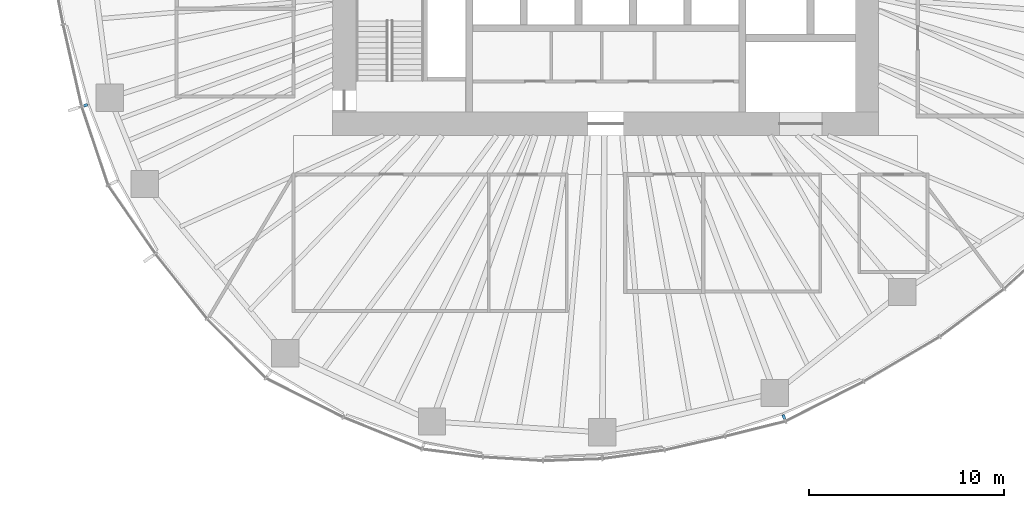
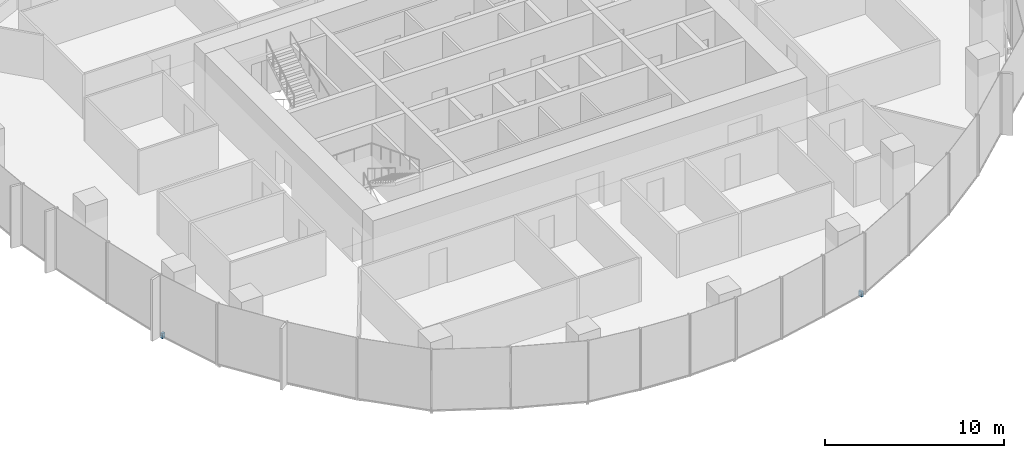
# One storey, part 13 of 18: 2 discrete accessories.
"""IFC4 building model written with IfcOpenShell, lengths in metres."""

from ifc_helpers import new_model, si_unit, direction, frame, origin, origin_2d, place, context, subcontext, project, spatial, rectangle, extrude, material, type_object, element, save


model = new_model("IFC4")

# Units and contexts
model_context = context("Model", 3, precision=1e-05, world=origin(), true_north=direction((0.0, 1.0)))
body_context = subcontext(model_context, "Body", "Model", "MODEL_VIEW")
ifc_project = project(units=[si_unit("LENGTHUNIT", "METRE"), si_unit("AREAUNIT", "SQUARE_METRE"), si_unit("VOLUMEUNIT", "CUBIC_METRE"), si_unit("PLANEANGLEUNIT", "RADIAN"), si_unit("MASSUNIT", "GRAM", prefix="KILO")], contexts=[model_context])

# Site, building, storey
site_placement = place(None, origin())
site = spatial("IfcSite", under=ifc_project, at=site_placement, CompositionType="ELEMENT")
building_placement = place(site_placement, origin())
building = spatial("IfcBuilding", under=site, at=building_placement, Name="Ghaith Harvest Tower", CompositionType="ELEMENT")
storey_placement = place(building_placement, frame((0.0, 0.0, 155.39990234375)))
storey = spatial("IfcBuildingStorey", under=building, at=storey_placement, Name="L33", CompositionType="ELEMENT", Elevation=155.39990234375)

# Discrete accessories
ifc_material_1 = material(Name="Stainless steel grade 1.4401", Category="steel")
discrete_accessory_type_1 = type_object("IfcDiscreteAccessoryType", Name="CURTAIN WALL BRACKET 205", PredefinedType="BRACKET", material=ifc_material_1)
discrete_accessory_1_placement = place(storey_placement, frame((-26.673095703125, -8.453125, -0.25), z_axis=(0.0, 0.0, 1.0), x_axis=(-0.953273219416, -0.302109531701, 0.0)))
element("IfcDiscreteAccessory", 1, at=discrete_accessory_1_placement, inside=storey, type_object=discrete_accessory_type_1, Name="CW-L bracket 1 bay 12 L33", PredefinedType="BRACKET", context=body_context, shape_type="SweptSolid", body=[
    extrude(rectangle(XDim=0.205078125, YDim=0.14990234375, at=origin_2d()), origin(), (0.0, 0.0, 1.0), 0.35009765625),
])
ifc_material_2 = material(Name="Stainless steel grade 1.4401", Category="steel")
discrete_accessory_type_2 = type_object("IfcDiscreteAccessoryType", Name="CURTAIN WALL BRACKET 245", PredefinedType="BRACKET", material=ifc_material_2)
discrete_accessory_2_placement = place(storey_placement, frame((9.135498046875, -24.436767578125, -0.25), z_axis=(0.0, 0.0, 1.0), x_axis=(0.35016769691, -0.93668702566, 0.0)))
element("IfcDiscreteAccessory", 2, at=discrete_accessory_2_placement, inside=storey, type_object=discrete_accessory_type_2, Name="CW-L bracket 1 bay 17 L33", PredefinedType="BRACKET", context=body_context, shape_type="SweptSolid", body=[
    extrude(rectangle(XDim=0.2451171875, YDim=0.14990234375, at=origin_2d()), origin(), (0.0, 0.0, 1.0), 0.35009765625),
])

save(model, "model.ifc")
